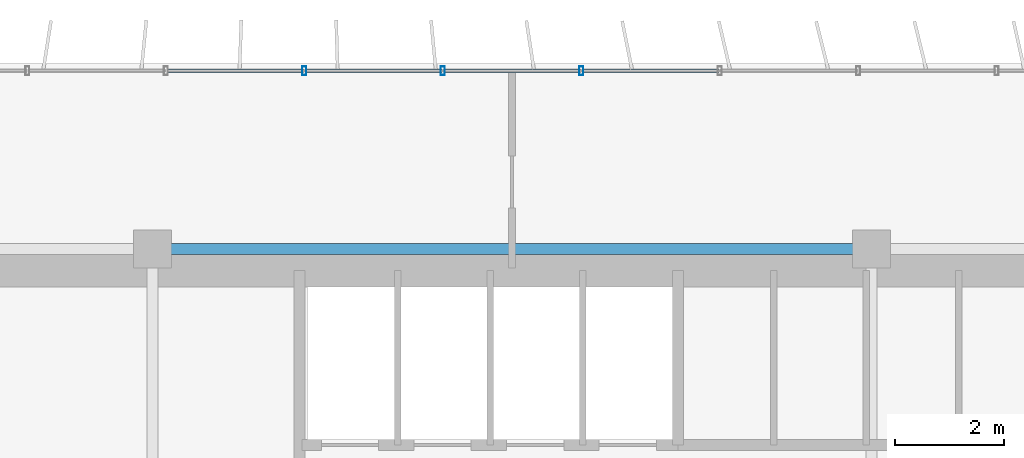
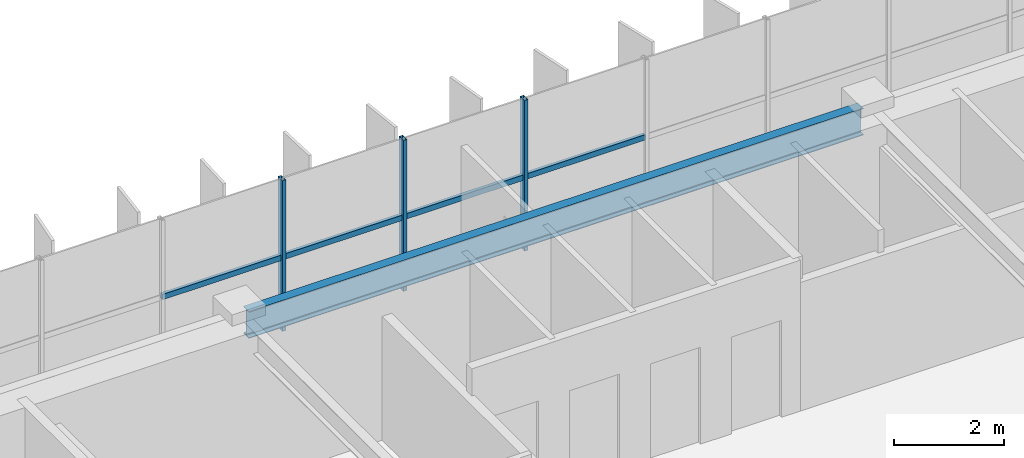
# One storey, part 7 of 22: 7 members, 1 beam, 1 element without a shape of its own.
"""IFC4 building model written with IfcOpenShell, lengths in metres."""

from ifc_helpers import new_model, si_unit, direction, frame, origin, origin_2d, place, context, subcontext, project, spatial, hollow_rectangle, i_section, extrude, source, transform, mapped, material, material_profile, profile_set, type_object, element, aggregate, save


model = new_model("IFC4")

# Units and contexts
model_context = context("Model", 3, precision=1e-05, world=origin(), true_north=direction((0.0, 1.0)))
body_context = subcontext(model_context, "Body", "Model", "MODEL_VIEW")
ifc_project = project(units=[si_unit("LENGTHUNIT", "METRE"), si_unit("AREAUNIT", "SQUARE_METRE"), si_unit("VOLUMEUNIT", "CUBIC_METRE"), si_unit("PLANEANGLEUNIT", "RADIAN"), si_unit("MASSUNIT", "GRAM", prefix="KILO")], contexts=[model_context])

# Site, building, storey
site_placement = place(None, origin())
site = spatial("IfcSite", under=ifc_project, at=site_placement, CompositionType="ELEMENT")
building_placement = place(site_placement, origin())
building = spatial("IfcBuilding", under=site, at=building_placement, Name="Trelvane Seafront Commons", CompositionType="ELEMENT")
storey_placement = place(building_placement, frame((0.0, 0.0, 139.300048828125)))
storey = spatial("IfcBuildingStorey", under=building, at=storey_placement, Name="L36", CompositionType="ELEMENT", Elevation=139.300048828125)

# Beam
ifc_material_1 = material(Name="Steel SM355 (S355)", Category="steel")
ifc_material_profile_1 = material_profile(ifc_material_1, i_section(OverallWidth=0.199951171875, OverallDepth=0.60009765625, WebThickness=0.010986328125, FlangeThickness=0.01708984375, at=origin_2d()), Name="H-600x200x11x17")
ifc_profile_set_1 = profile_set([ifc_material_profile_1], Name="Steel SM355 (S355)")
beam_type = type_object("IfcBeamType", Name="STR-SPD-H600", PredefinedType="SPANDREL", material=ifc_profile_set_1)
shared_shape_1 = source(origin(), body_context, "Body", "SweptSolid", [
    extrude(i_section(OverallWidth=0.199951171875, OverallDepth=0.60009765625, WebThickness=0.010986328125, FlangeThickness=0.01708984375, at=origin_2d()), origin(), (0.0, 0.0, 1.0), 12.89990234375),
])
beam_placement = place(storey_placement, frame((30.75, 45.10009765625, 3.050048828125), z_axis=(1.0, 0.0, 0.0), x_axis=(0.0, 1.0, 0.0)))
element("IfcBeam", 1, at=beam_placement, inside=storey, type_object=beam_type, Name="L36 Primary Girder G-25", PredefinedType="SPANDREL", context=body_context, shape_type="MappedRepresentation", body=[
    mapped(shared_shape_1, transform((0.0, 0.0, 0.0), x_axis=(1.0, 0.0, 0.0), y_axis=(0.0, 1.0, 0.0), z_axis=(0.0, 0.0, 1.0), scale=1.0)),
])

# Curtain wall, members
ifc_material_2 = material(Name="Anodised pale-silver aluminium", Category="aluminium")
curtain_wall_type = type_object("IfcCurtainWallType", Name="ARCH-CW5-UPTOWER", PredefinedType="NOTDEFINED", material=ifc_material_2)
curtain_wall_placement = place(storey_placement, origin())
curtain_wall = element("IfcCurtainWall", 2, at=curtain_wall_placement, inside=storey, type_object=curtain_wall_type, Name="CW-L36-0063", PredefinedType="NOTDEFINED")
ifc_material_profile_2 = material_profile(ifc_material_2, hollow_rectangle(XDim=0.070068359375, YDim=0.1201171875, WallThickness=0.00390625, at=origin_2d()), Name="TRAN-70x120x4")
ifc_profile_set_2 = profile_set([ifc_material_profile_2], Name="Anodised pale-silver aluminium")
member_type_1 = type_object("IfcMemberType", Name="ARCH-CW-TRAN-120", PredefinedType="USERDEFINED", material=ifc_profile_set_2)
shared_shape_2 = source(origin(), body_context, "Body", "SweptSolid", [
    extrude(hollow_rectangle(XDim=0.070068359375, YDim=0.1201171875, WallThickness=0.00390625, at=origin_2d()), origin(), (0.0, 0.0, 1.0), 2.51708984375),
])
member_1_placement = place(storey_placement, frame((30.859130859375, 48.3701171875, 1.60791015625), z_axis=(1.0, 0.0, 0.0), x_axis=(0.0, 1.0, 0.0)))
member_1 = element("IfcMember", 3, at=member_1_placement, type_object=member_type_1, Name="CW-L36-0063-T06", ObjectType="TRANSOM", PredefinedType="USERDEFINED", context=body_context, shape_type="MappedRepresentation", body=[
    mapped(shared_shape_2, transform((0.0, 0.0, 0.0), x_axis=(1.0, 0.0, 0.0), y_axis=(0.0, 1.0, 0.0), z_axis=(0.0, 0.0, 1.0), scale=1.0)),
])
member_2_placement = place(storey_placement, frame((35.94140625, 48.3701171875, 1.60791015625), z_axis=(1.0, 0.0, 0.0), x_axis=(0.0, 1.0, 0.0)))
member_2 = element("IfcMember", 4, at=member_2_placement, type_object=member_type_1, Name="CW-L36-0063-T08", ObjectType="TRANSOM", PredefinedType="USERDEFINED", context=body_context, shape_type="MappedRepresentation", body=[
    mapped(shared_shape_2, transform((0.0, 0.0, 0.0), x_axis=(1.0, 0.0, 0.0), y_axis=(0.0, 1.0, 0.0), z_axis=(0.0, 0.0, 1.0), scale=1.0)),
])
member_3_placement = place(storey_placement, frame((38.482666015625, 48.3701171875, 1.60791015625), z_axis=(1.0, 0.0, 0.0), x_axis=(0.0, 1.0, 0.0)))
member_3 = element("IfcMember", 5, at=member_3_placement, type_object=member_type_1, Name="CW-L36-0063-T09", ObjectType="TRANSOM", PredefinedType="USERDEFINED", context=body_context, shape_type="MappedRepresentation", body=[
    mapped(shared_shape_2, transform((0.0, 0.0, 0.0), x_axis=(1.0, 0.0, 0.0), y_axis=(0.0, 1.0, 0.0), z_axis=(0.0, 0.0, 1.0), scale=1.0)),
])
shared_shape_3 = source(origin(), body_context, "Body", "SweptSolid", [
    extrude(hollow_rectangle(XDim=0.070068359375, YDim=0.1201171875, WallThickness=0.00390625, at=origin_2d()), origin(), (0.0, 0.0, 1.0), 2.517333984375),
])
member_4_placement = place(storey_placement, frame((33.400146484375, 48.3701171875, 1.60791015625), z_axis=(1.0, 0.0, 0.0), x_axis=(0.0, 1.0, 0.0)))
member_4 = element("IfcMember", 6, at=member_4_placement, type_object=member_type_1, Name="CW-L36-0063-T07", ObjectType="TRANSOM", PredefinedType="USERDEFINED", context=body_context, shape_type="MappedRepresentation", body=[
    mapped(shared_shape_3, transform((0.0, 0.0, 0.0), x_axis=(1.0, 0.0, 0.0), y_axis=(0.0, 1.0, 0.0), z_axis=(0.0, 0.0, 1.0), scale=1.0)),
])
ifc_material_profile_3 = material_profile(ifc_material_2, hollow_rectangle(XDim=0.074951171875, YDim=0.159912109375, WallThickness=0.00390625, at=origin_2d()), Name="MULL-75x160x4")
ifc_profile_set_3 = profile_set([ifc_material_profile_3], Name="Anodised pale-silver aluminium")
member_type_2 = type_object("IfcMemberType", Name="ARCH-CW-MULL-160", PredefinedType="MULLION", material=ifc_profile_set_3)
shared_shape_4 = source(origin(), body_context, "Body", "SweptSolid", [
    extrude(hollow_rectangle(XDim=0.074951171875, YDim=0.159912109375, WallThickness=0.00390625, at=origin_2d()), origin(), (0.0, 0.0, 1.0), 3.349853515625),
])
member_5_placement = place(storey_placement, frame((33.38818359375, 48.3701171875, 0.0), z_axis=(0.0, 0.0, 1.0), x_axis=(1.0, 0.0, 0.0)))
member_5 = element("IfcMember", 7, at=member_5_placement, type_object=member_type_2, Name="CW-L36-0063-M07", PredefinedType="MULLION", context=body_context, shape_type="MappedRepresentation", body=[
    mapped(shared_shape_4, transform((0.0, 0.0, 0.0), x_axis=(1.0, 0.0, 0.0), y_axis=(0.0, 1.0, 0.0), z_axis=(0.0, 0.0, 1.0), scale=1.0)),
])
member_6_placement = place(storey_placement, frame((35.929443359375, 48.3701171875, 0.0), z_axis=(0.0, 0.0, 1.0), x_axis=(1.0, 0.0, 0.0)))
member_6 = element("IfcMember", 8, at=member_6_placement, type_object=member_type_2, Name="CW-L36-0063-M08", PredefinedType="MULLION", context=body_context, shape_type="MappedRepresentation", body=[
    mapped(shared_shape_4, transform((0.0, 0.0, 0.0), x_axis=(1.0, 0.0, 0.0), y_axis=(0.0, 1.0, 0.0), z_axis=(0.0, 0.0, 1.0), scale=1.0)),
])
member_7_placement = place(storey_placement, frame((38.470703125, 48.3701171875, 0.0), z_axis=(0.0, 0.0, 1.0), x_axis=(1.0, 0.0, 0.0)))
member_7 = element("IfcMember", 9, at=member_7_placement, type_object=member_type_2, Name="CW-L36-0063-M09", PredefinedType="MULLION", context=body_context, shape_type="MappedRepresentation", body=[
    mapped(shared_shape_4, transform((0.0, 0.0, 0.0), x_axis=(1.0, 0.0, 0.0), y_axis=(0.0, 1.0, 0.0), z_axis=(0.0, 0.0, 1.0), scale=1.0)),
])
aggregate(curtain_wall, [member_5, member_6, member_7, member_1, member_4, member_2, member_3])

save(model, "model.ifc")
